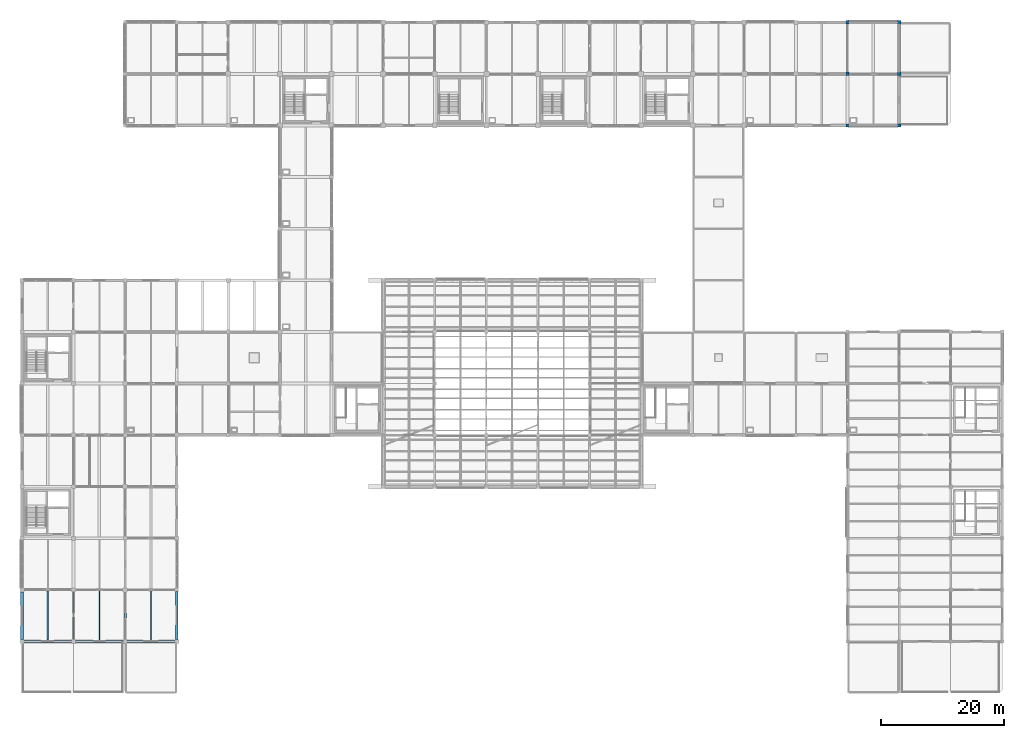
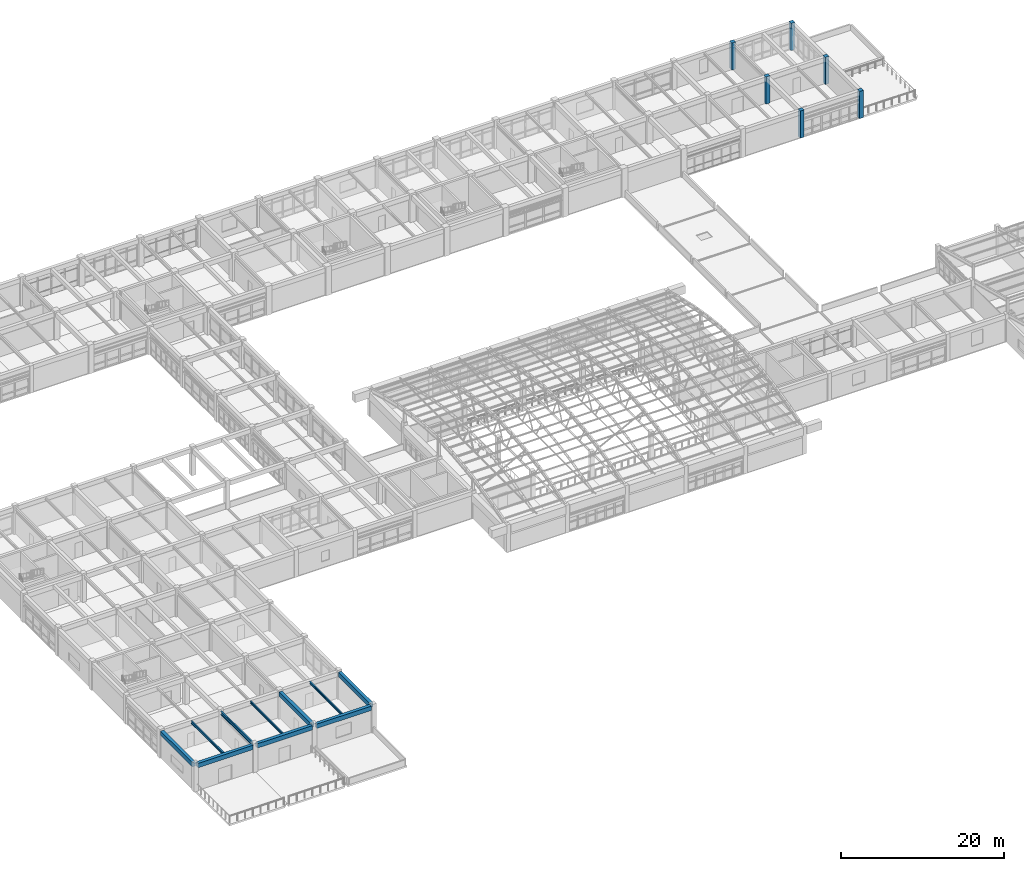
# One storey, part 9 of 74: 10 beams, 6 columns.
"""IFC4 building model written with IfcOpenShell, lengths in metres."""

from ifc_helpers import new_model, si_unit, direction, frame, origin, origin_2d, place, context, subcontext, project, spatial, rectangle, i_section, extrude, material, material_profile, profile_set, type_object, element, save


model = new_model("IFC4")

# Units and contexts
model_context = context("Model", 3, precision=1e-05, world=origin(), true_north=direction((0.0, 1.0)))
body_context = subcontext(model_context, "Body", "Model", "MODEL_VIEW")
ifc_project = project(units=[si_unit("LENGTHUNIT", "METRE"), si_unit("AREAUNIT", "SQUARE_METRE"), si_unit("VOLUMEUNIT", "CUBIC_METRE"), si_unit("PLANEANGLEUNIT", "RADIAN"), si_unit("MASSUNIT", "GRAM", prefix="KILO")], contexts=[model_context])

# Site, building, storey
site_placement = place(None, origin())
site = spatial("IfcSite", under=ifc_project, at=site_placement, CompositionType="ELEMENT")
building_placement = place(site_placement, origin())
building = spatial("IfcBuilding", under=site, at=building_placement, Name="Porcellanite Civic Hall", CompositionType="ELEMENT")
storey_placement = place(building_placement, frame((0.0, 0.0, 14.760009765625)))
storey = spatial("IfcBuildingStorey", under=building, at=storey_placement, Name="L03", CompositionType="ELEMENT", Elevation=14.760009765625)

# Columns
ifc_material_1 = material(Name="Concrete N50 (50 MPa)", Category="concrete")
ifc_material_profile_1 = material_profile(ifc_material_1, rectangle(XDim=0.550048828125, YDim=0.550048828125, at=origin_2d()), Name="RC-550x550")
ifc_profile_set_1 = profile_set([ifc_material_profile_1], Name="Concrete N50 (50 MPa)")
column_type = type_object("IfcColumnType", Name="COL-550", PredefinedType="COLUMN", material=ifc_profile_set_1)
for number, where, z_axis, x_axis, name in (
    (1, (142.800048828125, 100.800048828125, 0.0), (0.0, 0.0, 1.0), (1.0, 0.0, 0.0), "Column L03 17-12"),
    (2, (142.800048828125, 109.199951171875, 0.0), (0.0, 0.0, 1.0), (1.0, 0.0, 0.0), "Column L03 17-13"),
    (3, (142.800048828125, 117.60009765625, 0.0), (0.0, 0.0, 1.0), (1.0, 0.0, 0.0), "Column L03 17-14"),
    (4, (151.199951171875, 100.800048828125, 0.0), (0.0, 0.0, 1.0), (1.0, 0.0, 0.0), "Column L03 18-12"),
    (5, (151.199951171875, 109.199951171875, 0.0), (0.0, 0.0, 1.0), (1.0, 0.0, 0.0), "Column L03 18-13"),
    (6, (151.199951171875, 117.60009765625, 0.0), (0.0, 0.0, 1.0), (1.0, 0.0, 0.0), "Column L03 18-14"),
):
    element("IfcColumn", number, at=place(storey_placement, frame(where, z_axis=z_axis, x_axis=x_axis)), inside=storey, type_object=column_type, Name=name, PredefinedType="COLUMN", context=body_context, shape_type="SweptSolid", body=[
        extrude(rectangle(XDim=0.550048828125, YDim=0.550048828125, at=origin_2d()), origin(), (0.0, 0.0, 1.0), 4.070068359375),
    ])

# Beams
ifc_material_2 = material(Name="Concrete N50 (50 MPa)", Category="concrete")
ifc_material_profile_2 = material_profile(ifc_material_2, rectangle(XDim=0.449951171875, YDim=0.64990234375, at=origin_2d()), Name="RC-450x650")
ifc_profile_set_2 = profile_set([ifc_material_profile_2], Name="Concrete N50 (50 MPa)")
beam_type_1 = type_object("IfcBeamType", Name="BM-RC650", PredefinedType="SPANDREL", material=ifc_profile_set_2)
beam_1_placement = place(storey_placement, frame((8.699462890625, 16.800048828125, 3.744873046875), z_axis=(1.0, 0.0, 0.0), x_axis=(0.0, 1.0, 0.0)))
element("IfcBeam", 7, at=beam_1_placement, inside=storey, type_object=beam_type_1, Name="Beam X L03 2-3", PredefinedType="SPANDREL", context=body_context, shape_type="SweptSolid", body=[
    extrude(rectangle(XDim=0.449951171875, YDim=0.64990234375, at=origin_2d()), origin(), (0.0, 0.0, 1.0), 7.776123046875),
])
for number, where, z_axis, x_axis, name in (
    (8, (17.12451171875, 16.800048828125, 3.744873046875), (1.0, 0.0, 0.0), (0.0, 1.0, 0.0), "Beam X L03 3-3"),
    (9, (25.49951171875, 16.800048828125, 3.744873046875), (1.0, 0.0, 0.0), (0.0, 1.0, 0.0), "Beam X L03 4-3"),
    (10, (8.39990234375, 17.099609375, 3.744873046875), (0.0, 1.0, 0.0), (-1.0, 0.0, 0.0), "Beam Y L03 2-3"),
    (11, (33.60009765625, 17.12451171875, 3.744873046875), (0.0, 1.0, 0.0), (-1.0, 0.0, 0.0), "Beam Y L03 5-3"),
):
    element("IfcBeam", number, at=place(storey_placement, frame(where, z_axis=z_axis, x_axis=x_axis)), inside=storey, type_object=beam_type_1, Name=name, PredefinedType="SPANDREL", context=body_context, shape_type="SweptSolid", body=[
        extrude(rectangle(XDim=0.449951171875, YDim=0.64990234375, at=origin_2d()), origin(), (0.0, 0.0, 1.0), 7.77587890625),
    ])
ifc_material_3 = material(Name="Concrete N50 (50 MPa)", Category="concrete")
ifc_material_profile_3 = material_profile(ifc_material_3, rectangle(XDim=0.449951171875, YDim=0.699951171875, at=origin_2d()), Name="RC-450x700")
ifc_profile_set_3 = profile_set([ifc_material_profile_3], Name="Concrete N50 (50 MPa)")
beam_type_2 = type_object("IfcBeamType", Name="BM-RC700", PredefinedType="BEAM", material=ifc_profile_set_3)
beam_2_placement = place(storey_placement, frame((25.199951171875, 17.099609375, 3.719970703125), z_axis=(0.0, 1.0, 0.0), x_axis=(-1.0, 0.0, 0.0)))
element("IfcBeam", 12, at=beam_2_placement, inside=storey, type_object=beam_type_2, Name="Beam Y L03 4-3", PredefinedType="BEAM", context=body_context, shape_type="SweptSolid", body=[
    extrude(rectangle(XDim=0.449951171875, YDim=0.699951171875, at=origin_2d()), origin(), (0.0, 0.0, 1.0), 7.77587890625),
])
ifc_material_4 = material(Name="Steel Grade 350", Category="steel")
ifc_material_profile_4 = material_profile(ifc_material_4, i_section(OverallWidth=0.1708984375, OverallDepth=0.35595703125, WebThickness=0.00732421875, FlangeThickness=0.011474609375, FilletRadius=0.011474609375, at=origin_2d()), Name="360UB50.7")
ifc_profile_set_4 = profile_set([ifc_material_profile_4], Name="Steel Grade 350")
beam_type_3 = type_object("IfcBeamType", Name="JST-360UB51", PredefinedType="JOIST", material=ifc_profile_set_4)
beam_3_placement = place(storey_placement, frame((29.39990234375, 17.0244140625, 3.89208984375), z_axis=(0.0, 1.0, 0.0), x_axis=(-1.0, 0.0, 0.0)))
element("IfcBeam", 13, at=beam_3_placement, inside=storey, type_object=beam_type_3, Name="Secondary joist L03 4-3", PredefinedType="JOIST", context=body_context, shape_type="SweptSolid", body=[
    extrude(i_section(OverallWidth=0.1708984375, OverallDepth=0.35595703125, WebThickness=0.00732421875, FlangeThickness=0.011474609375, FilletRadius=0.011474609375, at=origin_2d()), origin(), (0.0, 0.0, 1.0), 7.951171875),
])
ifc_material_5 = material(Name="Steel Grade 350", Category="steel")
ifc_material_profile_5 = material_profile(ifc_material_5, i_section(OverallWidth=0.172119140625, OverallDepth=0.35888671875, WebThickness=0.008056640625, FlangeThickness=0.012939453125, FilletRadius=0.011474609375, at=origin_2d()), Name="360UB56.7")
ifc_profile_set_5 = profile_set([ifc_material_profile_5], Name="Steel Grade 350")
beam_type_4 = type_object("IfcBeamType", Name="JST-360UB57", PredefinedType="JOIST", material=ifc_profile_set_5)
beam_4_placement = place(storey_placement, frame((21.0, 17.0244140625, 3.890380859375), z_axis=(0.0, 1.0, 0.0), x_axis=(-1.0, 0.0, 0.0)))
element("IfcBeam", 14, at=beam_4_placement, inside=storey, type_object=beam_type_4, Name="Secondary joist L03 3-3", PredefinedType="JOIST", context=body_context, shape_type="SweptSolid", body=[
    extrude(i_section(OverallWidth=0.172119140625, OverallDepth=0.35888671875, WebThickness=0.008056640625, FlangeThickness=0.012939453125, FilletRadius=0.011474609375, at=origin_2d()), origin(), (0.0, 0.0, 1.0), 7.951171875),
])
ifc_material_6 = material(Name="Steel Grade 350", Category="steel")
ifc_material_profile_6 = material_profile(ifc_material_6, i_section(OverallWidth=0.177978515625, OverallDepth=0.403076171875, WebThickness=0.007568359375, FlangeThickness=0.010986328125, FilletRadius=0.011474609375, at=origin_2d()), Name="410UB53.7")
ifc_profile_set_6 = profile_set([ifc_material_profile_6], Name="Steel Grade 350")
beam_type_5 = type_object("IfcBeamType", Name="JST-410UB54", PredefinedType="JOIST", material=ifc_profile_set_6)
beam_5_placement = place(storey_placement, frame((12.60009765625, 17.0244140625, 3.868408203125), z_axis=(0.0, 1.0, 0.0), x_axis=(-1.0, 0.0, 0.0)))
element("IfcBeam", 15, at=beam_5_placement, inside=storey, type_object=beam_type_5, Name="Secondary joist L03 2-3", PredefinedType="JOIST", context=body_context, shape_type="SweptSolid", body=[
    extrude(i_section(OverallWidth=0.177978515625, OverallDepth=0.403076171875, WebThickness=0.007568359375, FlangeThickness=0.010986328125, FilletRadius=0.011474609375, at=origin_2d()), origin(), (0.0, 0.0, 1.0), 7.951171875),
])
ifc_material_7 = material(Name="Steel Grade 350", Category="steel")
ifc_material_profile_7 = material_profile(ifc_material_7, i_section(OverallWidth=0.208984375, OverallDepth=0.528076171875, WebThickness=0.009521484375, FlangeThickness=0.01318359375, FilletRadius=0.013916015625, at=origin_2d()), Name="530UB82.0")
ifc_profile_set_7 = profile_set([ifc_material_profile_7], Name="Steel Grade 350")
beam_type_6 = type_object("IfcBeamType", Name="RAF-530UB82", PredefinedType="BEAM", material=ifc_profile_set_7)
beam_6_placement = place(storey_placement, frame((16.800048828125, 17.12451171875, 3.805908203125), z_axis=(0.0, 1.0, 0.0), x_axis=(-1.0, 0.0, 0.0)))
element("IfcBeam", 16, at=beam_6_placement, inside=storey, type_object=beam_type_6, Name="Beam Y L03 3-3", PredefinedType="BEAM", context=body_context, shape_type="SweptSolid", body=[
    extrude(i_section(OverallWidth=0.208984375, OverallDepth=0.528076171875, WebThickness=0.009521484375, FlangeThickness=0.01318359375, FilletRadius=0.013916015625, at=origin_2d()), origin(), (0.0, 0.0, 1.0), 7.77587890625),
])

save(model, "model.ifc")
